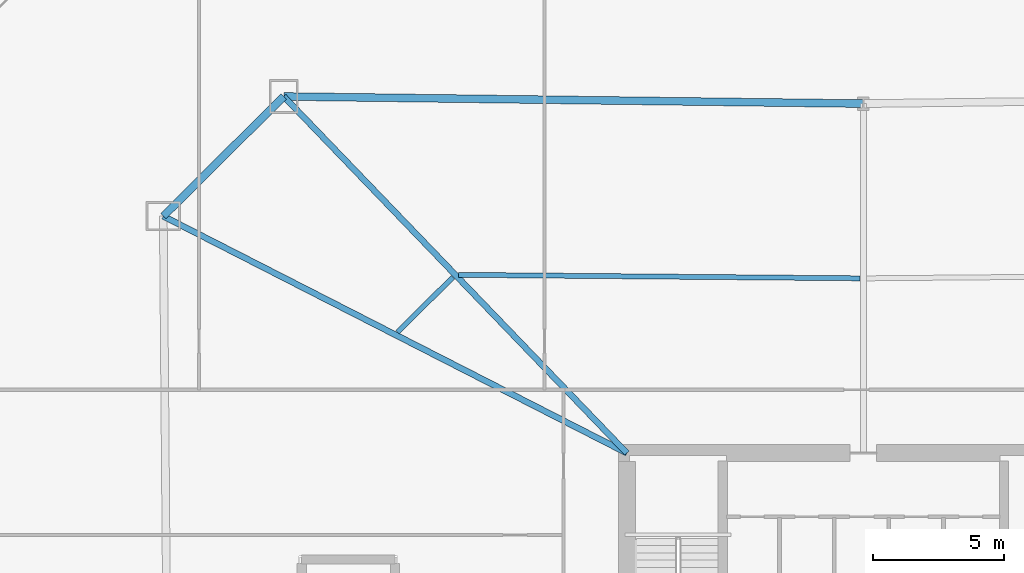
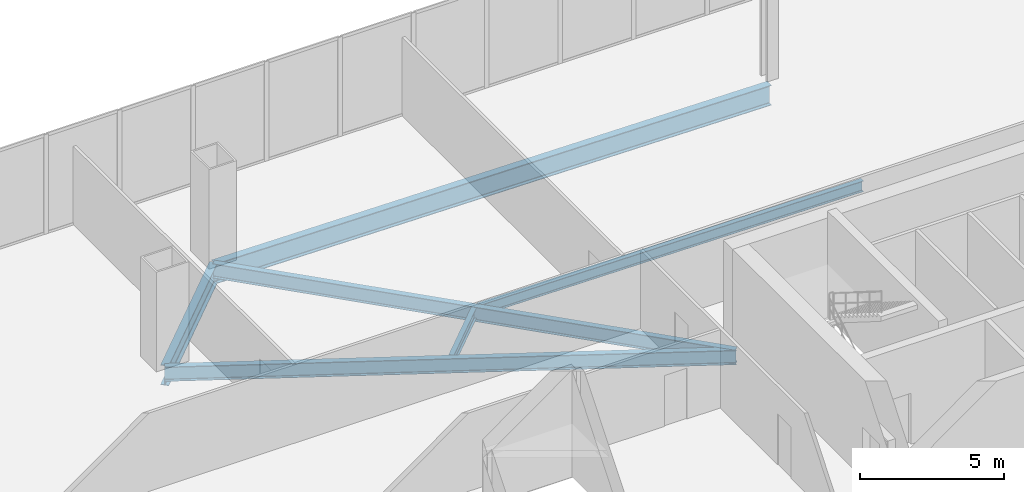
# One storey, part 13 of 31: 6 beams.
"""IFC4 building model written with IfcOpenShell, lengths in metres."""

import ifcopenshell
import ifcopenshell.guid

model = None  # the IFC model being written
_history = None  # IfcOwnerHistory: only IFC2X3 demands one
_inside = {}  # id of a spatial element -> (the spatial element, [elements in it])
_under = {}  # id of a project, library or spatial element -> (it, [spatial elements below it])
_declared = {}  # id of a project -> (the project, [libraries it declares])
_typed = {}  # id of a type object -> (the type object, [elements of that type])
_made_of = {}  # id of a material, layer set ... -> (it, [elements and type objects made of it])


def new_model(schema):
    """Start an empty IFC model of exactly this schema.

    Asked for "IFC4X3", IfcOpenShell would pick the latest addendum, in which some entities
    have other attributes; the version numbers below select the first issue.
    IFC2X3 requires an IfcOwnerHistory on every rooted entity: one is made here for all.
    """
    global model, _history
    if schema == "IFC4X3":
        model = ifcopenshell.file(schema_version=(4, 3, 0, 0))
    else:
        model = ifcopenshell.file(schema=schema)
    _inside.clear()
    _under.clear()
    _declared.clear()
    _typed.clear()
    _made_of.clear()
    _history = None
    if model.schema == "IFC2X3":
        org = make("IfcOrganization", Name="unknown")
        user = make(
            "IfcPersonAndOrganization",
            ThePerson=make("IfcPerson", FamilyName="unknown"),
            TheOrganization=org,
        )
        app = make(
            "IfcApplication",
            ApplicationDeveloper=org,
            Version="unknown",
            ApplicationFullName="unknown",
            ApplicationIdentifier="unknown",
        )
        _history = make(
            "IfcOwnerHistory",
            OwningUser=user,
            OwningApplication=app,
            ChangeAction="ADDED",
            CreationDate=0,
        )
    return model


def make(cls, **values):
    """One entity of the class cls with the attributes given. An attribute that is None is left unset."""
    return model.create_entity(
        cls, **{name: value for name, value in values.items() if value is not None}
    )


def rooted(cls, **values):
    """An entity with a GlobalId (a new one), such as an element, a storey or a relation."""
    return make(cls, GlobalId=ifcopenshell.guid.new(), OwnerHistory=_history, **values)


def si_unit(unit_type, name, prefix=None):
    """IfcSIUnit, for example si_unit("LENGTHUNIT", "METRE", prefix="MILLI")."""
    return make("IfcSIUnit", UnitType=unit_type, Prefix=prefix, Name=name)


def assignment(units):
    """IfcUnitAssignment: the units of a project."""
    return None if units is None else make("IfcUnitAssignment", Units=units)


def point(xyz):
    """IfcCartesianPoint."""
    return None if xyz is None else make("IfcCartesianPoint", Coordinates=xyz)


def direction(xyz):
    """IfcDirection."""
    return None if xyz is None else make("IfcDirection", DirectionRatios=xyz)


def frame(location, z_axis=None, x_axis=None):
    """IfcAxis2Placement3D, a coordinate frame: its origin and axes. An axis left out is left unset."""
    return make(
        "IfcAxis2Placement3D",
        Location=point(location),
        Axis=direction(z_axis),
        RefDirection=direction(x_axis),
    )


def frame_2d(location, x_axis=None):
    """IfcAxis2Placement2D, a coordinate frame in the plane: its origin and x axis."""
    return make(
        "IfcAxis2Placement2D", Location=point(location), RefDirection=direction(x_axis)
    )


def origin():
    """The frame at (0, 0, 0) with its axes left unset."""
    return frame((0.0, 0.0, 0.0))


def origin_2d():
    """The frame at (0, 0) in the plane with its x axis left unset."""
    return frame_2d((0.0, 0.0))


def place(relative_to, where):
    """IfcLocalPlacement: puts the frame where relative to a parent placement (None: the world)."""
    return make(
        "IfcLocalPlacement", PlacementRelTo=relative_to, RelativePlacement=where
    )


def context(
    kind, dimensions, precision=None, world=None, true_north=None, identifier=None
):
    """IfcGeometricRepresentationContext, for example the 3D "Model" context."""
    return make(
        "IfcGeometricRepresentationContext",
        ContextIdentifier=identifier,
        ContextType=kind,
        CoordinateSpaceDimension=dimensions,
        Precision=precision,
        WorldCoordinateSystem=world,
        TrueNorth=true_north,
    )


def subcontext(parent, identifier, kind, view, scale=None):
    """IfcGeometricRepresentationSubContext, for example "Body" below "Model"."""
    return make(
        "IfcGeometricRepresentationSubContext",
        ContextIdentifier=identifier,
        ContextType=kind,
        ParentContext=parent,
        TargetScale=scale,
        TargetView=view,
    )


def project(units=None, contexts=None):
    """IfcProject with its units and contexts."""
    return rooted(
        "IfcProject",
        Name="project",
        RepresentationContexts=contexts,
        UnitsInContext=assignment(units),
    )


def spatial(cls, under=None, at=None, **own):
    """A site, building, storey or space (cls), placed at a placement, below another one or the project."""
    s = rooted(cls, ObjectPlacement=at, **own)
    if under is not None:
        _under.setdefault(under.id(), (under, []))[1].append(s)
    return s


def profile(cls, at=None, kind="AREA", **sizes):
    """A parametric profile (cls). Its sizes go by their IFC names, for example OverallWidth=200.0."""
    return make(cls, ProfileType=kind, Position=at, **sizes)


def i_section(**sizes):
    """IfcIShapeProfileDef."""
    return profile("IfcIShapeProfileDef", **sizes)


def extrude(swept, where, along, depth):
    """IfcExtrudedAreaSolid: the profile swept, set in the frame where, extruded along a direction by depth."""
    return make(
        "IfcExtrudedAreaSolid",
        SweptArea=swept,
        Position=where,
        ExtrudedDirection=direction(along),
        Depth=depth,
    )


def shape(context_of_items, identifier, shape_type, items):
    """IfcShapeRepresentation: the items that make up one representation, for example the "Body"."""
    return make(
        "IfcShapeRepresentation",
        ContextOfItems=context_of_items,
        RepresentationIdentifier=identifier,
        RepresentationType=shape_type,
        Items=items,
    )


def material(Name=None, Category=None):
    """IfcMaterial."""
    return make("IfcMaterial", Name=Name, Category=Category)


def material_profile(
    of_material, cross_section, Name=None, Category=None, Priority=None
):
    """IfcMaterialProfile: a cross section and its material."""
    return make(
        "IfcMaterialProfile",
        Name=Name,
        Material=of_material,
        Profile=cross_section,
        Priority=Priority,
        Category=Category,
    )


def profile_set(profiles, Name=None, composite=None):
    """IfcMaterialProfileSet."""
    return make(
        "IfcMaterialProfileSet",
        Name=Name,
        MaterialProfiles=profiles,
        CompositeProfile=composite,
    )


def made_of(thing, what):
    """Note that an element or type object is made of a material, layer set ...; save() writes the relation."""
    if what is not None:
        _made_of.setdefault(what.id(), (what, []))[1].append(thing)
    return thing


def type_object(cls, material=None, **own):
    """A type object (cls), such as IfcWallType, which elements share."""
    return made_of(rooted(cls, **own), material)


def element(
    cls,
    number,
    at=None,
    inside=None,
    cuts=None,
    type_object=None,
    material=None,
    context=None,
    identifier="Body",
    shape_type=None,
    held_by="IfcProductDefinitionShape",
    body=None,
    shapes=None,
    **own,
):
    """One element of the class cls, such as IfcWall. Its Tag is "e" and its number.

    at: its placement. inside: the storey or other place that contains it. cuts: it is an
    opening in that element (IfcRelVoidsElement). A single representation is given by context,
    identifier, shape_type and body (its items); several are given by shapes. held_by: the class
    of the entity that holds the representations. save() writes the other relations.
    """
    e = rooted(cls, Tag="e%d" % number, ObjectPlacement=at, **own)
    if body is not None:
        shapes = [shape(context, identifier, shape_type, body)]
    if shapes is not None:
        e.Representation = make(held_by, Representations=shapes)
    if inside is not None:
        _inside.setdefault(inside.id(), (inside, []))[1].append(e)
    if cuts is not None:
        rooted(
            "IfcRelVoidsElement", RelatingBuildingElement=cuts, RelatedOpeningElement=e
        )
    if type_object is not None:
        _typed.setdefault(type_object.id(), (type_object, []))[1].append(e)
    return made_of(e, material)


def aggregate(whole, parts):
    """IfcRelAggregates: a whole, such as a stair, and the parts it consists of."""
    return rooted("IfcRelAggregates", RelatingObject=whole, RelatedObjects=parts)


def save(model, path):
    """Write the relations noted so far, then the file.

    IfcRelAggregates (storeys below a building ...), IfcRelContainedInSpatialStructure (elements
    in a storey), IfcRelDefinesByType, IfcRelAssociatesMaterial and IfcRelDeclares: one each for
    every whole, place, type object, material and project.
    """
    for whole, parts in _under.values():
        aggregate(whole, parts)
    for where, things in _inside.values():
        rooted(
            "IfcRelContainedInSpatialStructure",
            RelatedElements=things,
            RelatingStructure=where,
        )
    for kind, things in _typed.values():
        rooted("IfcRelDefinesByType", RelatedObjects=things, RelatingType=kind)
    for what, things in _made_of.values():
        rooted("IfcRelAssociatesMaterial", RelatedObjects=things, RelatingMaterial=what)
    for by, libraries in _declared.values():
        rooted("IfcRelDeclares", RelatingContext=by, RelatedDefinitions=libraries)
    model.write(path)


model = new_model("IFC4")

# Units and contexts
model_context = context("Model", 3, precision=1e-05, world=origin(), true_north=direction((0.0, 1.0)))
body_context = subcontext(model_context, "Body", "Model", "MODEL_VIEW")
ifc_project = project(units=[si_unit("LENGTHUNIT", "METRE"), si_unit("AREAUNIT", "SQUARE_METRE"), si_unit("VOLUMEUNIT", "CUBIC_METRE"), si_unit("PLANEANGLEUNIT", "RADIAN"), si_unit("MASSUNIT", "GRAM", prefix="KILO")], contexts=[model_context])

# Site, building, storey
site_placement = place(None, origin())
site = spatial("IfcSite", under=ifc_project, at=site_placement, CompositionType="ELEMENT")
building_placement = place(site_placement, origin())
building = spatial("IfcBuilding", under=site, at=building_placement, Name="Caelvoria Tower", CompositionType="ELEMENT")
storey_placement = place(building_placement, frame((0.0, 0.0, 9.5)))
storey = spatial("IfcBuildingStorey", under=building, at=storey_placement, Name="L02", CompositionType="ELEMENT", Elevation=9.5)

# Beams
ifc_material = material(Name="Structural Steel ASTM A992 Gr.50", Category="steel")
ifc_material_profile_1 = material_profile(ifc_material, i_section(OverallWidth=0.2939453125, OverallDepth=0.85107421875, WebThickness=0.01611328125, FlangeThickness=0.02685546875, FilletRadius=0.02197265625, at=origin_2d()), Name="Structural Steel ASTM A992 Gr.50")
ifc_profile_set_1 = profile_set([ifc_material_profile_1], Name="W840X226 - Structural Steel ASTM A992 Gr.50")
beam_type_1 = type_object("IfcBeamType", Name="Podium Long-Span Girder W840X226", PredefinedType="BEAM", material=ifc_profile_set_1)
beam_1_placement = place(storey_placement, frame((46.0, 53.300048828125, -0.70556640625), z_axis=(-0.999924666978, 0.01227437855, 0.0), x_axis=(-0.01227437855, -0.999924666978, 0.0)))
element("IfcBeam", 1, at=beam_1_placement, inside=storey, type_object=beam_type_1, Name="Perimeter Spandrel Girder L02-07", PredefinedType="BEAM", context=body_context, shape_type="SweptSolid", body=[
    extrude(i_section(OverallWidth=0.2939453125, OverallDepth=0.85107421875, WebThickness=0.01611328125, FlangeThickness=0.02685546875, FilletRadius=0.02197265625, at=origin_2d()), origin(), (0.0, 0.0, 1.0), 22.058349609375),
])
beam_2_placement = place(storey_placement, frame((23.943359375, 53.57080078125, -0.70556640625), z_axis=(-0.709407278283, -0.704798775197, 0.0), x_axis=(0.704798775197, -0.709407278283, 0.0)))
element("IfcBeam", 2, at=beam_2_placement, inside=storey, type_object=beam_type_1, Name="Perimeter Spandrel Girder L02-08", PredefinedType="BEAM", context=body_context, shape_type="SweptSolid", body=[
    extrude(i_section(OverallWidth=0.2939453125, OverallDepth=0.85107421875, WebThickness=0.01611328125, FlangeThickness=0.02685546875, FilletRadius=0.02197265625, at=origin_2d()), origin(), (0.0, 0.0, 1.0), 6.463134765625),
])
ifc_material_profile_2 = material_profile(ifc_material, i_section(OverallWidth=0.22900390625, OverallDepth=0.612060546875, WebThickness=0.011962890625, FlangeThickness=0.01953125, FilletRadius=0.01806640625, at=origin_2d()), Name="Structural Steel ASTM A992 Gr.50")
ifc_profile_set_2 = profile_set([ifc_material_profile_2], Name="W610X125 - Structural Steel ASTM A992 Gr.50")
beam_type_2 = type_object("IfcBeamType", Name="Primary Radial Floor Girder W610X125", PredefinedType="BEAM", material=ifc_profile_set_2)
beam_3_placement = place(storey_placement, frame((37.0, 40.0, -0.5859375), z_axis=(-0.69332372519, 0.720626263807, 0.0), x_axis=(-0.720626263807, -0.69332372519, 0.0)))
element("IfcBeam", 3, at=beam_3_placement, inside=storey, type_object=beam_type_2, Name="Primary Floor Girder L02-08", PredefinedType="BEAM", context=body_context, shape_type="SweptSolid", body=[
    extrude(i_section(OverallWidth=0.22900390625, OverallDepth=0.612060546875, WebThickness=0.011962890625, FlangeThickness=0.01953125, FilletRadius=0.01806640625, at=origin_2d()), origin(), (0.0, 0.0, 1.0), 18.83203125),
])
beam_4_placement = place(storey_placement, frame((37.0, 40.0, -0.5859375), z_axis=(-0.890459095292, 0.455063291876, 0.0), x_axis=(-0.455063291876, -0.890459095292, 0.0)))
element("IfcBeam", 4, at=beam_4_placement, inside=storey, type_object=beam_type_2, Name="Primary Floor Girder L02-09", PredefinedType="BEAM", context=body_context, shape_type="SweptSolid", body=[
    extrude(i_section(OverallWidth=0.22900390625, OverallDepth=0.612060546875, WebThickness=0.011962890625, FlangeThickness=0.01953125, FilletRadius=0.01806640625, at=origin_2d()), origin(), (0.0, 0.0, 1.0), 19.811767578125),
])
ifc_material_profile_3 = material_profile(ifc_material, i_section(OverallWidth=0.18994140625, OverallDepth=0.45703125, WebThickness=0.009033203125, FlangeThickness=0.014404296875, FilletRadius=0.014892578125, at=origin_2d()), Name="Structural Steel ASTM A992 Gr.50")
ifc_profile_set_3 = profile_set([ifc_material_profile_3], Name="W460X74 - Structural Steel ASTM A992 Gr.50")
beam_type_3 = type_object("IfcBeamType", Name="Secondary Floor Beam W460X74", PredefinedType="BEAM", material=ifc_profile_set_3)
beam_5_placement = place(storey_placement, frame((45.875, 46.651123046875, -0.508544921875), z_axis=(-0.9999620801, 0.00870852243, 0.0), x_axis=(-0.00870852243, -0.9999620801, 0.0)))
element("IfcBeam", 5, at=beam_5_placement, inside=storey, type_object=beam_type_3, Name="Secondary Floor Beam L02-07", PredefinedType="BEAM", context=body_context, shape_type="SweptSolid", body=[
    extrude(i_section(OverallWidth=0.18994140625, OverallDepth=0.45703125, WebThickness=0.009033203125, FlangeThickness=0.014404296875, FilletRadius=0.014892578125, at=origin_2d()), origin(), (0.0, 0.0, 1.0), 15.27880859375),
])
beam_6_placement = place(storey_placement, frame((30.383056640625, 46.697265625, -0.508544921875), z_axis=(-0.709436603289, -0.704769257214, 0.0), x_axis=(0.704769257214, -0.709436603289, 0.0)))
element("IfcBeam", 6, at=beam_6_placement, inside=storey, type_object=beam_type_3, Name="Secondary Floor Beam L02-08", PredefinedType="BEAM", context=body_context, shape_type="SweptSolid", body=[
    extrude(i_section(OverallWidth=0.18994140625, OverallDepth=0.45703125, WebThickness=0.009033203125, FlangeThickness=0.014404296875, FilletRadius=0.014892578125, at=origin_2d()), origin(), (0.0, 0.0, 1.0), 2.981689453125),
])

save(model, "model.ifc")
